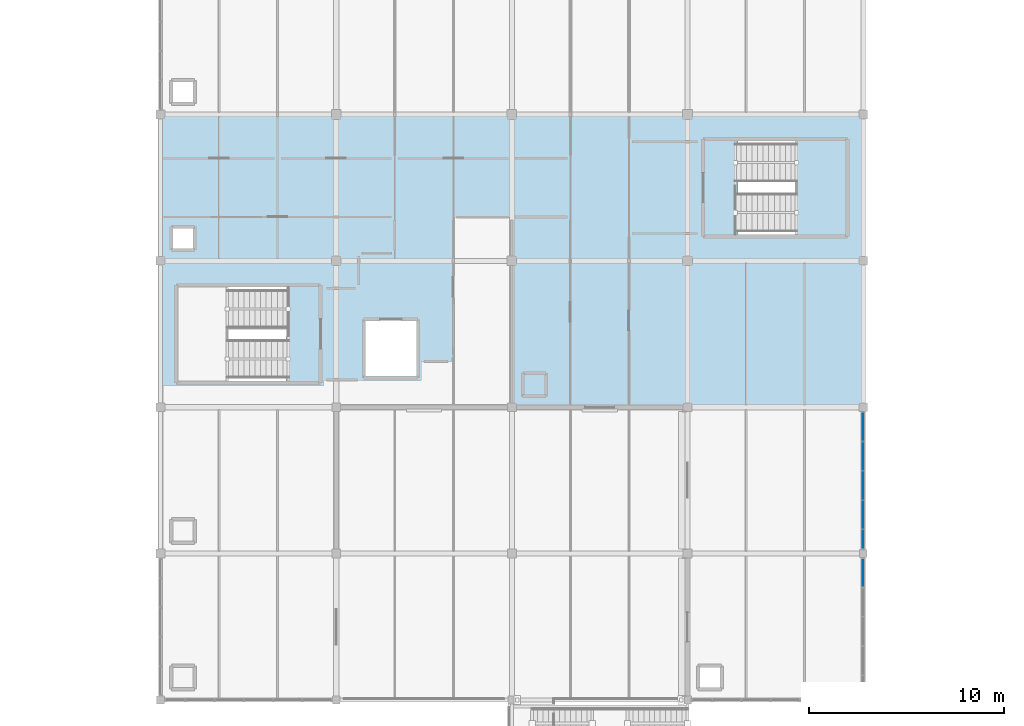
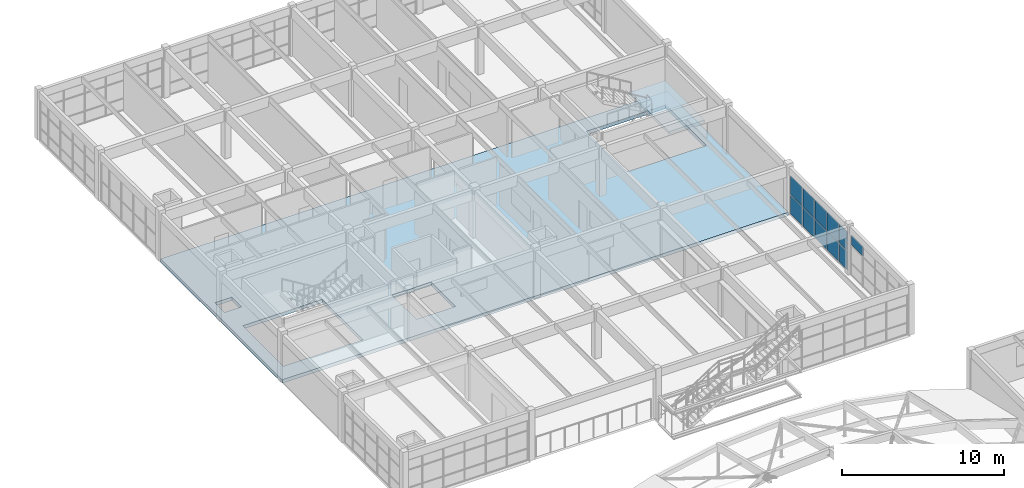
# One storey, part 55 of 81: 11 plates, 2 slabs, 3 elements without a shape of their own.
"""IFC4 building model written with IfcOpenShell, lengths in metres."""

from ifc_helpers import new_model, si_unit, direction, frame, origin, origin_2d, place, context, subcontext, project, spatial, polyline, rectangle, outline, extrude, material, layer, layer_set, type_object, element, aggregate, save


model = new_model("IFC4")

# Units and contexts
model_context = context("Model", 3, precision=1e-05, world=origin(), true_north=direction((0.0, 1.0)))
body_context = subcontext(model_context, "Body", "Model", "MODEL_VIEW")
ifc_project = project(units=[si_unit("LENGTHUNIT", "METRE"), si_unit("AREAUNIT", "SQUARE_METRE"), si_unit("VOLUMEUNIT", "CUBIC_METRE"), si_unit("PLANEANGLEUNIT", "RADIAN"), si_unit("MASSUNIT", "GRAM", prefix="KILO")], contexts=[model_context])

# Site, building, storey
site_placement = place(None, origin())
site = spatial("IfcSite", under=ifc_project, at=site_placement, CompositionType="ELEMENT")
building_placement = place(site_placement, origin())
building = spatial("IfcBuilding", under=site, at=building_placement, Name="Marnridge Secondary College", CompositionType="ELEMENT")
storey_placement = place(building_placement, frame((0.0, 0.0, 8.5)))
storey = spatial("IfcBuildingStorey", under=building, at=storey_placement, Name="L02", CompositionType="ELEMENT", Elevation=8.5)

# Curtain wall, plates
ifc_material_1 = material(Name="Thermally broken aluminium and low-E glazing", Category="aluminium")
ifc_layer_1 = layer(ifc_material_1, 0.159912109375)
ifc_layer_set_1 = layer_set([ifc_layer_1], Name="CW-MOD-1500")
curtain_wall_type = type_object("IfcCurtainWallType", Name="CW-MOD-1500", PredefinedType="NOTDEFINED", material=ifc_layer_set_1)
curtain_wall_1_placement = place(storey_placement, origin())
curtain_wall_1 = element("IfcCurtainWall", 1, at=curtain_wall_1_placement, inside=storey, type_object=curtain_wall_type, Name="Unitised curtain wall CW-L02-078", PredefinedType="NOTDEFINED")
ifc_material_2 = material(Name="Double-glazed low-E argon unit", Category="glass")
ifc_layer_2 = layer(ifc_material_2, 0.028076171875)
ifc_layer_set_2 = layer_set([ifc_layer_2], Name="CWP-GLZ28")
plate_type = type_object("IfcPlateType", Name="CWP-GLZ28", PredefinedType="CURTAIN_PANEL", material=ifc_layer_set_2)
plate_1_placement = place(storey_placement, frame((90.0, 51.490966796875, 0.06005859375), z_axis=(0.0, 0.0, 1.0), x_axis=(0.0, -1.0, 0.0)))
plate_1 = element("IfcPlate", 2, at=plate_1_placement, type_object=plate_type, Name="CW-L02-078 panel 1.1", PredefinedType="CURTAIN_PANEL", context=body_context, shape_type="SweptSolid", body=[
    extrude(rectangle(XDim=1.43994140625, YDim=0.028076171875, at=origin_2d()), origin(), (0.0, 0.0, 1.0), 1.39892578125),
])
plate_2_placement = place(storey_placement, frame((90.0, 51.490966796875, 1.51904296875), z_axis=(0.0, 0.0, 1.0), x_axis=(0.0, -1.0, 0.0)))
plate_2 = element("IfcPlate", 3, at=plate_2_placement, type_object=plate_type, Name="CW-L02-078 panel 1.2", PredefinedType="CURTAIN_PANEL", context=body_context, shape_type="SweptSolid", body=[
    extrude(rectangle(XDim=1.43994140625, YDim=0.028076171875, at=origin_2d()), origin(), (0.0, 0.0, 1.0), 1.39794921875),
])
plate_3_placement = place(storey_placement, frame((90.0, 49.990966796875, 0.06005859375), z_axis=(0.0, 0.0, 1.0), x_axis=(0.0, -1.0, 0.0)))
plate_3 = element("IfcPlate", 4, at=plate_3_placement, type_object=plate_type, Name="CW-L02-078 panel 2.1", PredefinedType="CURTAIN_PANEL", context=body_context, shape_type="SweptSolid", body=[
    extrude(rectangle(XDim=1.43994140625, YDim=0.028076171875, at=origin_2d()), origin(), (0.0, 0.0, 1.0), 1.39892578125),
])
plate_4_placement = place(storey_placement, frame((90.0, 49.990966796875, 1.51904296875), z_axis=(0.0, 0.0, 1.0), x_axis=(0.0, -1.0, 0.0)))
plate_4 = element("IfcPlate", 5, at=plate_4_placement, type_object=plate_type, Name="CW-L02-078 panel 2.2", PredefinedType="CURTAIN_PANEL", context=body_context, shape_type="SweptSolid", body=[
    extrude(rectangle(XDim=1.43994140625, YDim=0.028076171875, at=origin_2d()), origin(), (0.0, 0.0, 1.0), 1.39794921875),
])
plate_5_placement = place(storey_placement, frame((90.0, 48.490966796875, 0.06005859375), z_axis=(0.0, 0.0, 1.0), x_axis=(0.0, -1.0, 0.0)))
plate_5 = element("IfcPlate", 6, at=plate_5_placement, type_object=plate_type, Name="CW-L02-078 panel 3.1", PredefinedType="CURTAIN_PANEL", context=body_context, shape_type="SweptSolid", body=[
    extrude(rectangle(XDim=1.43994140625, YDim=0.028076171875, at=origin_2d()), origin(), (0.0, 0.0, 1.0), 1.39892578125),
])
plate_6_placement = place(storey_placement, frame((90.0, 48.490966796875, 1.51904296875), z_axis=(0.0, 0.0, 1.0), x_axis=(0.0, -1.0, 0.0)))
plate_6 = element("IfcPlate", 7, at=plate_6_placement, type_object=plate_type, Name="CW-L02-078 panel 3.2", PredefinedType="CURTAIN_PANEL", context=body_context, shape_type="SweptSolid", body=[
    extrude(rectangle(XDim=1.43994140625, YDim=0.028076171875, at=origin_2d()), origin(), (0.0, 0.0, 1.0), 1.39794921875),
])
plate_7_placement = place(storey_placement, frame((90.0, 46.990966796875, 0.06005859375), z_axis=(0.0, 0.0, 1.0), x_axis=(0.0, -1.0, 0.0)))
plate_7 = element("IfcPlate", 8, at=plate_7_placement, type_object=plate_type, Name="CW-L02-078 panel 4.1", PredefinedType="CURTAIN_PANEL", context=body_context, shape_type="SweptSolid", body=[
    extrude(rectangle(XDim=1.43994140625, YDim=0.028076171875, at=origin_2d()), origin(), (0.0, 0.0, 1.0), 1.39892578125),
])
plate_8_placement = place(storey_placement, frame((90.0, 46.990966796875, 1.51904296875), z_axis=(0.0, 0.0, 1.0), x_axis=(0.0, -1.0, 0.0)))
plate_8 = element("IfcPlate", 9, at=plate_8_placement, type_object=plate_type, Name="CW-L02-078 panel 4.2", PredefinedType="CURTAIN_PANEL", context=body_context, shape_type="SweptSolid", body=[
    extrude(rectangle(XDim=1.43994140625, YDim=0.028076171875, at=origin_2d()), origin(), (0.0, 0.0, 1.0), 1.39794921875),
])
plate_9_placement = place(storey_placement, frame((90.0, 45.737548828125, 0.06005859375), z_axis=(0.0, 0.0, 1.0), x_axis=(0.0, -1.0, 0.0)))
plate_9 = element("IfcPlate", 10, at=plate_9_placement, type_object=plate_type, Name="CW-L02-078 panel 5.1", PredefinedType="CURTAIN_PANEL", context=body_context, shape_type="SweptSolid", body=[
    extrude(rectangle(XDim=0.947021484375, YDim=0.028076171875, at=origin_2d()), origin(), (0.0, 0.0, 1.0), 1.39892578125),
])
plate_10_placement = place(storey_placement, frame((90.0, 45.737548828125, 1.51904296875), z_axis=(0.0, 0.0, 1.0), x_axis=(0.0, -1.0, 0.0)))
plate_10 = element("IfcPlate", 11, at=plate_10_placement, type_object=plate_type, Name="CW-L02-078 panel 5.2", PredefinedType="CURTAIN_PANEL", context=body_context, shape_type="SweptSolid", body=[
    extrude(rectangle(XDim=0.947021484375, YDim=0.028076171875, at=origin_2d()), origin(), (0.0, 0.0, 1.0), 1.39794921875),
])
aggregate(curtain_wall_1, [plate_1, plate_2, plate_3, plate_4, plate_5, plate_6, plate_7, plate_8, plate_9, plate_10])

# Curtain wall, plate
curtain_wall_2_placement = place(storey_placement, origin())
curtain_wall_2 = element("IfcCurtainWall", 12, at=curtain_wall_2_placement, inside=storey, type_object=curtain_wall_type, Name="Unitised curtain wall CW-L02-079", PredefinedType="NOTDEFINED")
plate_11_placement = place(storey_placement, frame((90.0, 44.01611328125, 2.280029296875), z_axis=(0.0, 0.0, 1.0), x_axis=(0.0, -1.0, 0.0)))
plate_11 = element("IfcPlate", 13, at=plate_11_placement, type_object=plate_type, Name="CW-L02-079 panel 1.3", PredefinedType="CURTAIN_PANEL", context=body_context, shape_type="SweptSolid", body=[
    extrude(rectangle(XDim=1.43994140625, YDim=0.028076171875, at=origin_2d()), origin(), (0.0, 0.0, 1.0), 0.70703125),
])
aggregate(curtain_wall_2, [plate_11])

# Slab
ifc_material_3 = material(Name="Cross-laminated timber CL7", Category="wood")
ifc_layer_3 = layer(ifc_material_3, 0.260009765625)
ifc_layer_set_3 = layer_set([ifc_layer_3], Name="SL-CLT-260")
slab_type_1 = type_object("IfcSlabType", Name="SL-CLT-260", PredefinedType="FLOOR", material=ifc_layer_set_3)
slab_1_placement = place(storey_placement, frame((0.0, 0.0, -0.260009765625)))
element("IfcSlab", 14, at=slab_1_placement, inside=storey, type_object=slab_type_1, Name="Floor slab SL-L02-027", PredefinedType="FLOOR", context=body_context, shape_type="SweptSolid", body=[
    extrude(outline(polyline([(90.0, 52.5), (54.0, 52.5), (54.0, 67.5), (90.0, 67.5), (90.0, 52.5)]), holes=[polyline([(54.800048828125, 53.75), (60.449951171875, 53.75), (60.449951171875, 58.75), (54.800048828125, 58.75), (54.800048828125, 53.75)]), polyline([(83.550048828125, 61.25), (89.199951171875, 61.25), (89.199951171875, 66.25), (83.550048828125, 66.25), (83.550048828125, 61.25)]), polyline([(64.39990234375, 54.0), (67.199951171875, 54.0), (67.199951171875, 57.0), (64.39990234375, 57.0), (64.39990234375, 54.0)]), polyline([(54.550048828125, 60.550048828125), (55.75, 60.550048828125), (55.75, 61.75), (54.550048828125, 61.75), (54.550048828125, 60.550048828125)])]), origin(), (0.0, 0.0, 1.0), 0.260009765625),
])

# Stair, slab
ifc_material_4 = material(Name="Concrete C40/50 (AS 3600 N40, 40 MPa)", Category="concrete")
stair_type = type_object("IfcStairType", Name="STC1", PredefinedType="HALF_TURN_STAIR", material=ifc_material_4)
stair_placement = place(storey_placement, origin())
stair = element("IfcStair", 15, at=stair_placement, inside=storey, type_object=stair_type, Name="Fire-isolated stair ST-02-L02", PredefinedType="HALF_TURN_STAIR")
ifc_material_5 = material(Name="Concrete C40/50 (AS 3600 N40, 40 MPa)", Category="concrete")
ifc_layer_4 = layer(ifc_material_5, 0.199951171875)
ifc_layer_set_4 = layer_set([ifc_layer_4], Name="SL-LAND-200")
slab_type_2 = type_object("IfcSlabType", Name="SL-LAND-200", PredefinedType="LANDING", material=ifc_layer_set_4)
slab_2_placement = place(storey_placement, frame((0.0, 0.0, 1.699951171875)))
slab_2 = element("IfcSlab", 16, at=slab_2_placement, type_object=slab_type_2, Name="ST-02-L02 landing 1", PredefinedType="LANDING", context=body_context, shape_type="SweptSolid", body=[
    extrude(outline(polyline([(86.5849609375, 61.31005859375), (89.139892578125, 61.31005859375), (89.139892578125, 66.18994140625), (86.5849609375, 66.18994140625), (86.5849609375, 61.31005859375)])), origin(), (0.0, 0.0, 1.0), 0.199951171875),
])
aggregate(stair, [slab_2])

save(model, "model.ifc")
